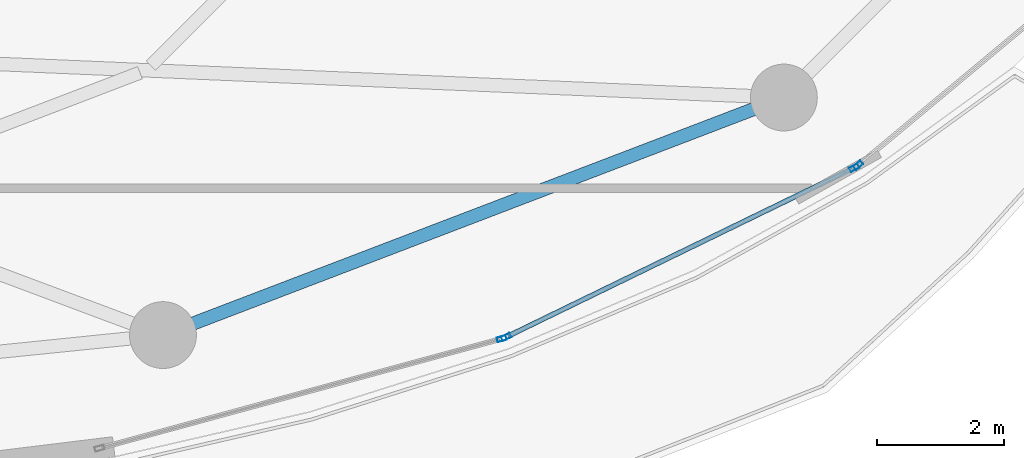
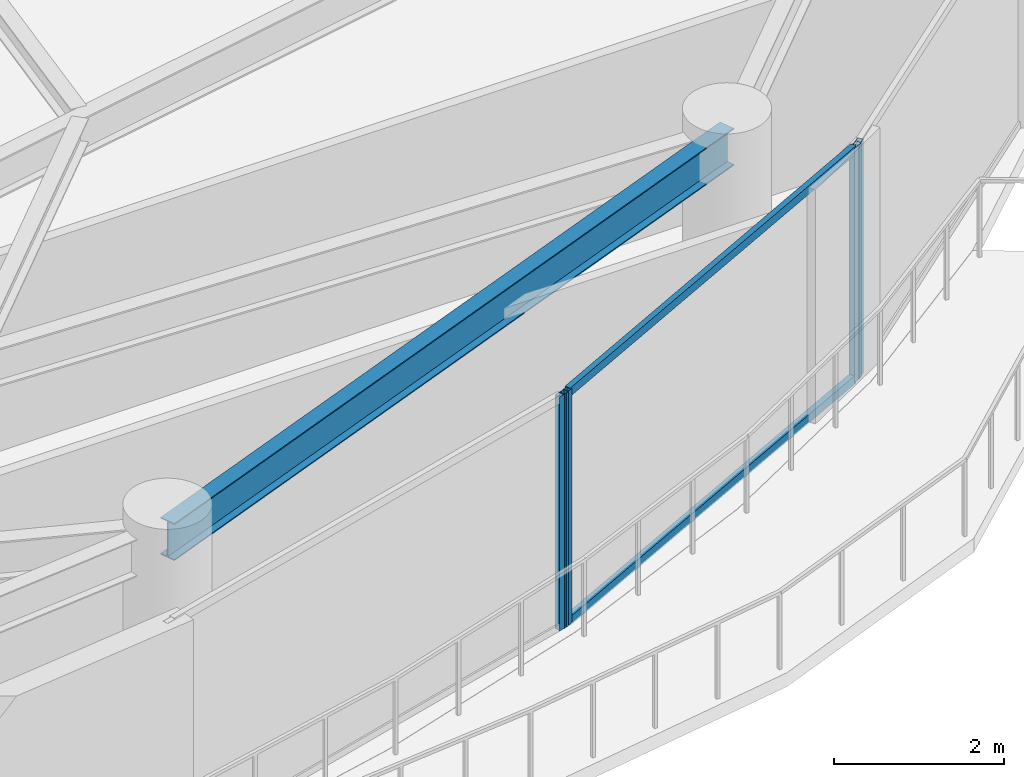
# One storey, part 13 of 30: 6 members, 1 beam, 3 elements without a shape of their own.
"""IFC4 building model written with IfcOpenShell, lengths in metres."""

from ifc_helpers import new_model, si_unit, direction, frame, origin, origin_2d, place, context, subcontext, project, spatial, hollow_rectangle, i_section, extrude, material, layer, layer_set, material_profile, profile_set, type_object, element, aggregate, save


model = new_model("IFC4")

# Units and contexts
model_context = context("Model", 3, precision=1e-05, world=origin(), true_north=direction((0.0, 1.0)))
body_context = subcontext(model_context, "Body", "Model", "MODEL_VIEW")
ifc_project = project(units=[si_unit("LENGTHUNIT", "METRE"), si_unit("AREAUNIT", "SQUARE_METRE"), si_unit("VOLUMEUNIT", "CUBIC_METRE"), si_unit("PLANEANGLEUNIT", "RADIAN"), si_unit("MASSUNIT", "GRAM", prefix="KILO")], contexts=[model_context])

# Site, building, storey
site_placement = place(None, origin())
site = spatial("IfcSite", under=ifc_project, at=site_placement, CompositionType="ELEMENT")
building_placement = place(site_placement, origin())
building = spatial("IfcBuilding", under=site, at=building_placement, Name="Kazevale Care Tower and Concert Hall", CompositionType="ELEMENT")
storey_placement = place(building_placement, frame((0.0, 0.0, 242.39990234375)))
storey = spatial("IfcBuildingStorey", under=building, at=storey_placement, Name="L64", CompositionType="ELEMENT", Elevation=242.39990234375)

# Curtain wall, member
ifc_material_1 = material(Name="Aluminium 6063-T6 and Low-E Glass", Category="aluminium")
ifc_layer = layer(ifc_material_1, 0.179931640625)
ifc_layer_set = layer_set([ifc_layer], Name="Aluminium 6063-T6 and Low-E Glass")
curtain_wall_type = type_object("IfcCurtainWallType", Name="Sheltered Concave Balcony Curtain Wall CW-5", PredefinedType="NOTDEFINED", material=ifc_layer_set)
curtain_wall_1_placement = place(storey_placement, origin())
curtain_wall_1 = element("IfcCurtainWall", 1, at=curtain_wall_1_placement, inside=storey, type_object=curtain_wall_type, Name="cw:L64:f02", PredefinedType="NOTDEFINED")
ifc_material_2 = material(Name="Aluminium 6063-T6", Category="aluminium")
ifc_material_profile_1 = material_profile(ifc_material_2, hollow_rectangle(XDim=0.074951171875, YDim=0.14990234375, WallThickness=0.00390625, at=origin_2d()), Name="ALU75x150x4")
ifc_profile_set_1 = profile_set([ifc_material_profile_1], Name="Aluminium 6063-T6")
member_type_1 = type_object("IfcMemberType", Name="CW-5 Mullion ALU75x150x4", PredefinedType="MULLION", material=ifc_profile_set_1)
member_1_placement = place(storey_placement, frame((67.417724609375, 21.5869140625, 0.0), z_axis=(0.0, 0.0, 1.0), x_axis=(0.639961217204, -0.768407210062, 0.0)))
member_1 = element("IfcMember", 2, at=member_1_placement, type_object=member_type_1, Name="CW-5 mullion 2", PredefinedType="MULLION", context=body_context, shape_type="SweptSolid", body=[
    extrude(hollow_rectangle(XDim=0.074951171875, YDim=0.14990234375, WallThickness=0.00390625, at=origin_2d()), origin(), (0.0, 0.0, 1.0), 3.360107421875),
])
aggregate(curtain_wall_1, [member_1])

# Curtain wall, members
curtain_wall_2_placement = place(storey_placement, origin())
curtain_wall_2 = element("IfcCurtainWall", 3, at=curtain_wall_2_placement, inside=storey, type_object=curtain_wall_type, Name="cw:L64:f03", PredefinedType="NOTDEFINED")
member_2_placement = place(storey_placement, frame((67.355224609375, 21.546630859375, 0.0), z_axis=(0.0, 0.0, 1.0), x_axis=(0.437238357087, -0.89934566163, 0.0)))
member_2 = element("IfcMember", 4, at=member_2_placement, type_object=member_type_1, Name="CW-5 mullion 1", PredefinedType="MULLION", context=body_context, shape_type="SweptSolid", body=[
    extrude(hollow_rectangle(XDim=0.074951171875, YDim=0.14990234375, WallThickness=0.00390625, at=origin_2d()), origin(), (0.0, 0.0, 1.0), 3.360107421875),
])
member_3_placement = place(storey_placement, frame((61.8896484375, 18.889404296875, 0.0), z_axis=(0.0, 0.0, 1.0), x_axis=(0.437238357087, -0.89934566163, 0.0)))
member_3 = element("IfcMember", 5, at=member_3_placement, type_object=member_type_1, Name="CW-5 mullion 2", PredefinedType="MULLION", context=body_context, shape_type="SweptSolid", body=[
    extrude(hollow_rectangle(XDim=0.074951171875, YDim=0.14990234375, WallThickness=0.00390625, at=origin_2d()), origin(), (0.0, 0.0, 1.0), 3.360107421875),
])

# Curtain wall, member
curtain_wall_3_placement = place(storey_placement, origin())
curtain_wall_3 = element("IfcCurtainWall", 6, at=curtain_wall_3_placement, inside=storey, type_object=curtain_wall_type, Name="cw:L64:f04", PredefinedType="NOTDEFINED")
member_4_placement = place(storey_placement, frame((61.81982421875, 18.863037109375, 0.0), z_axis=(0.0, 0.0, 1.0), x_axis=(0.262848968947, -0.964836991167, 0.0)))
member_4 = element("IfcMember", 7, at=member_4_placement, type_object=member_type_1, Name="CW-5 mullion 1", PredefinedType="MULLION", context=body_context, shape_type="SweptSolid", body=[
    extrude(hollow_rectangle(XDim=0.074951171875, YDim=0.14990234375, WallThickness=0.00390625, at=origin_2d()), origin(), (0.0, 0.0, 1.0), 3.360107421875),
])
aggregate(curtain_wall_3, [member_4])

# Member
ifc_material_profile_2 = material_profile(ifc_material_2, hollow_rectangle(XDim=0.074951171875, YDim=0.1201171875, WallThickness=0.00390625, at=origin_2d()), Name="ALU75x120x4")
ifc_profile_set_2 = profile_set([ifc_material_profile_2], Name="Aluminium 6063-T6")
member_type_2 = type_object("IfcMemberType", Name="CW-5 Transom ALU75x120x4", PredefinedType="USERDEFINED", material=ifc_profile_set_2)
member_5_placement = place(storey_placement, frame((67.321533203125, 21.5302734375, 0.03759765625), z_axis=(-0.899342308406, -0.437245254189, 0.0), x_axis=(0.437245254189, -0.899342308406, 0.0)))
member_5 = element("IfcMember", 8, at=member_5_placement, type_object=member_type_2, Name="CW-5 transom 1.1", ObjectType="TRANSOM", PredefinedType="USERDEFINED", context=body_context, shape_type="SweptSolid", body=[
    extrude(hollow_rectangle(XDim=0.074951171875, YDim=0.1201171875, WallThickness=0.00390625, at=origin_2d()), origin(), (0.0, 0.0, 1.0), 6.00244140625),
])

member_6_placement = place(storey_placement, frame((67.321533203125, 21.5302734375, 3.322509765625), z_axis=(-0.899342308406, -0.437245254189, 0.0), x_axis=(0.437245254189, -0.899342308406, 0.0)))
member_6 = element("IfcMember", 9, at=member_6_placement, type_object=member_type_2, Name="CW-5 transom 1.2", ObjectType="TRANSOM", PredefinedType="USERDEFINED", context=body_context, shape_type="SweptSolid", body=[
    extrude(hollow_rectangle(XDim=0.074951171875, YDim=0.1201171875, WallThickness=0.00390625, at=origin_2d()), origin(), (0.0, 0.0, 1.0), 6.00244140625),
])

aggregate(curtain_wall_2, [member_2, member_3, member_5, member_6])

# Beam
ifc_material_3 = material(Name="Steel ASTM A572 Gr 50", Category="steel")
ifc_material_profile_3 = material_profile(ifc_material_3, i_section(OverallWidth=0.208984375, OverallDepth=0.532958984375, WebThickness=0.01025390625, FlangeThickness=0.015625, at=origin_2d()), Name="W530x92")
ifc_profile_set_3 = profile_set([ifc_material_profile_3], Name="Steel ASTM A572 Gr 50")
beam_type = type_object("IfcBeamType", Name="Upper Ring Beam W530x92", PredefinedType="BEAM", material=ifc_profile_set_3)
beam_placement = place(storey_placement, frame((56.5, 18.919921875, 3.093505859375), z_axis=(0.933986653173, 0.357307894811, 0.0), x_axis=(-0.357307894811, 0.933986653173, 0.0)))
element("IfcBeam", 10, at=beam_placement, inside=storey, type_object=beam_type, Name="beam:L64:ring:14", PredefinedType="BEAM", context=body_context, shape_type="SweptSolid", body=[
    extrude(i_section(OverallWidth=0.208984375, OverallDepth=0.532958984375, WebThickness=0.01025390625, FlangeThickness=0.015625, at=origin_2d()), origin(), (0.0, 0.0, 1.0), 10.439208984375),
])

save(model, "model.ifc")
